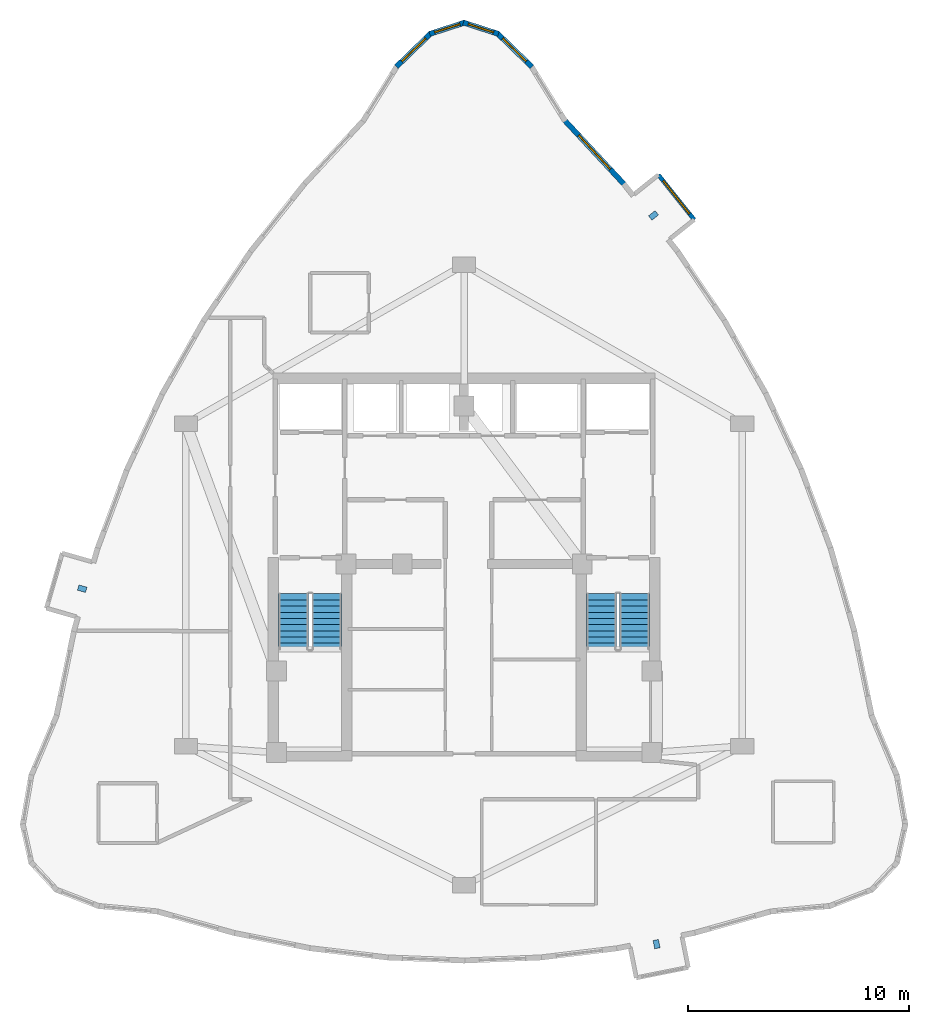
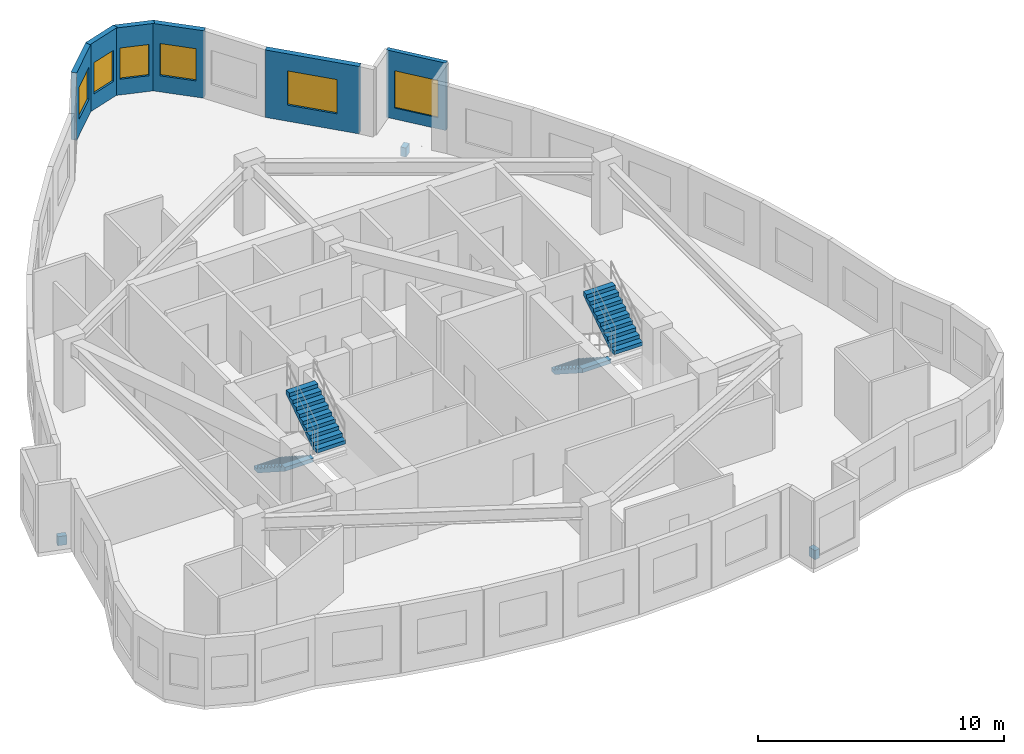
# One storey, part 8 of 9: 6 walls, 6 windows, 4 stair flights, 3 discrete accessories, 6 openings, 2 elements without a shape of their own.
"""IFC4 building model written with IfcOpenShell, lengths in metres."""

from ifc_helpers import new_model, si_unit, direction, frame, frame_2d, origin, origin_2d, place, context, subcontext, project, spatial, polyline, rectangle, outline, extrude, material, layer, layer_set, type_object, element, fill, aggregate, save


model = new_model("IFC4")

# Units and contexts
model_context = context("Model", 3, precision=1e-05, world=origin(), true_north=direction((0.0, 1.0)))
body_context = subcontext(model_context, "Body", "Model", "MODEL_VIEW")
ifc_project = project(units=[si_unit("LENGTHUNIT", "METRE"), si_unit("AREAUNIT", "SQUARE_METRE"), si_unit("VOLUMEUNIT", "CUBIC_METRE"), si_unit("PLANEANGLEUNIT", "RADIAN"), si_unit("MASSUNIT", "GRAM", prefix="KILO")], contexts=[model_context])

# Site, building, storey
site_placement = place(None, origin())
site = spatial("IfcSite", under=ifc_project, at=site_placement, CompositionType="ELEMENT")
building_placement = place(site_placement, origin())
building = spatial("IfcBuilding", under=site, at=building_placement, Name="Miruveldt Soraemaru", CompositionType="ELEMENT")
storey_placement = place(building_placement, frame((0.0, 0.0, 223.199951171875)))
storey = spatial("IfcBuildingStorey", under=building, at=storey_placement, Name="L61", CompositionType="ELEMENT", Elevation=223.199951171875)

# Wall, opening, window
ifc_material_1 = material(Name="White powder-coated aluminium EN AW-6060 T6", Category="aluminium")
ifc_layer_1 = layer(ifc_material_1, 0.18994140625, Name="White powder-coated aluminium EN AW-6060 T6", Category="aluminium")
ifc_layer_set_1 = layer_set([ifc_layer_1], Name="White powder-coated aluminium EN AW-6060 T6")
wall_type_1 = type_object("IfcWallType", Name="WALL-BAY-ALU190", PredefinedType="SOLIDWALL", material=ifc_layer_set_1)
wall_1_placement = place(storey_placement, frame((54.4228515625, 59.641357421875, 0.0), z_axis=(0.0, 0.0, 1.0), x_axis=(-0.623606546405, 0.781738367538, 0.0)))
wall_1 = element("IfcWall", 1, at=wall_1_placement, inside=storey, type_object=wall_type_1, Name="L61 Bay Window Front Frame 3", PredefinedType="SOLIDWALL", context=body_context, shape_type="SweptSolid", body=[
    extrude(rectangle(XDim=2.599853515625, YDim=0.18994140625, at=frame_2d((1.2998046875, 0.0))), origin(), (0.0, 0.0, 1.0), 3.344970703125),
])
opening_1_placement = place(wall_1_placement, frame((0.35009765625, 0.0, 0.550048828125)))
opening_1 = element("IfcOpeningElement", 2, at=opening_1_placement, cuts=wall_1, Name="Opening WN-6", PredefinedType="OPENING", context=body_context, shape_type="SweptSolid", body=[
    extrude(rectangle(XDim=1.89990234375, YDim=1.85009765625, at=frame_2d((0.949951171875, 0.925048828125))), frame((0.0, 0.10498046875, 0.0), z_axis=(0.0, -1.0, 0.0), x_axis=(1.0, 0.0, 0.0)), (0.0, 0.0, 1.0), 0.2099609375),
])
ifc_material_2 = material(Name="Triple low-e insulated glazing", Category="glass")
window_type_1 = type_object("IfcWindowType", Name="WIN-BAYW-1900x1850", PartitioningType="SINGLE_PANEL", PredefinedType="WINDOW", material=ifc_material_2)
window_1_placement = place(opening_1_placement, origin())
window_1 = element("IfcWindow", 3, at=window_1_placement, inside=storey, type_object=window_type_1, Name="L61 Projecting Bay Window 3", OverallHeight=1.85009765625, OverallWidth=1.89990234375, PartitioningType="SINGLE_PANEL", PredefinedType="WINDOW", context=body_context, shape_type="SweptSolid", body=[
    extrude(rectangle(XDim=1.89990234375, YDim=1.85009765625, at=frame_2d((0.949951171875, 0.925048828125))), frame((0.0, 0.030029296875, 0.0), z_axis=(0.0, -1.0, 0.0), x_axis=(1.0, 0.0, 0.0)), (0.0, 0.0, 1.0), 0.06005859375),
])
fill(opening_1, window_1)

ifc_material_3 = material(Name="Precast concrete C45/55 (45 MPa)", Category="concrete")
ifc_layer_2 = layer(ifc_material_3, 0.239990234375, Name="Precast concrete C45/55 (45 MPa)", Category="concrete")
ifc_layer_set_2 = layer_set([ifc_layer_2], Name="Precast concrete C45/55 (45 MPa)")
wall_type_2 = type_object("IfcWallType", Name="WALL-EXT-PC240", PredefinedType="SOLIDWALL", material=ifc_layer_set_2)
wall_2_placement = place(storey_placement, frame((47.070556640625, 66.5673828125, 0.0), z_axis=(0.0, 0.0, 1.0), x_axis=(-0.717775533581, 0.696274574714, 0.0)))
wall_2 = element("IfcWall", 4, at=wall_2_placement, inside=storey, type_object=wall_type_2, Name="L61 Precast Concrete Facade Wall 2", PredefinedType="SOLIDWALL", context=body_context, shape_type="SweptSolid", body=[
    extrude(rectangle(XDim=2.19140625, YDim=0.239990234375, at=frame_2d((1.095703125, 0.0))), origin(), (0.0, 0.0, 1.0), 3.344970703125),
])
opening_2_placement = place(wall_2_placement, frame((0.345947265625, 0.0, 0.800048828125)))
opening_2 = element("IfcOpeningElement", 5, at=opening_2_placement, cuts=wall_2, Name="Opening WN-3", PredefinedType="OPENING", context=body_context, shape_type="SweptSolid", body=[
    extrude(rectangle(XDim=1.5, YDim=1.60009765625, at=frame_2d((0.75, 0.800048828125))), frame((0.0, 0.1298828125, 0.0), z_axis=(0.0, -1.0, 0.0), x_axis=(1.0, 0.0, 0.0)), (0.0, 0.0, 1.0), 0.260009765625),
])
window_type_2 = type_object("IfcWindowType", Name="WIN-PUNCH-1500x1600", PartitioningType="SINGLE_PANEL", PredefinedType="WINDOW", material=ifc_material_2)
window_2_placement = place(opening_2_placement, origin())
window_2 = element("IfcWindow", 6, at=window_2_placement, inside=storey, type_object=window_type_2, Name="L61 Punched Triple-Glazed Window 02.1", OverallHeight=1.60009765625, OverallWidth=1.5, PartitioningType="SINGLE_PANEL", PredefinedType="WINDOW", context=body_context, shape_type="SweptSolid", body=[
    extrude(rectangle(XDim=1.5, YDim=1.60009765625, at=frame_2d((0.75, 0.800048828125))), frame((0.0, 0.030029296875, 0.0), z_axis=(0.0, -1.0, 0.0), x_axis=(1.0, 0.0, 0.0)), (0.0, 0.0, 1.0), 0.06005859375),
])
fill(opening_2, window_2)

wall_3_placement = place(storey_placement, frame((45.555908203125, 68.05810546875, 0.0), z_axis=(0.0, 0.0, 1.0), x_axis=(-0.951481028066, 0.307707414976, 0.0)))
wall_3 = element("IfcWall", 7, at=wall_3_placement, inside=storey, type_object=wall_type_2, Name="L61 Precast Concrete Facade Wall 3", PredefinedType="SOLIDWALL", context=body_context, shape_type="SweptSolid", body=[
    extrude(rectangle(XDim=1.670166015625, YDim=0.239990234375, at=frame_2d((0.8349609375, 0.0))), origin(), (0.0, 0.0, 1.0), 3.344970703125),
])
opening_3_placement = place(wall_3_placement, frame((0.235107421875, 0.0, 0.780029296875)))
opening_3 = element("IfcOpeningElement", 8, at=opening_3_placement, cuts=wall_3, Name="Opening WN-4", PredefinedType="OPENING", context=body_context, shape_type="SweptSolid", body=[
    extrude(rectangle(XDim=1.199951171875, YDim=1.550048828125, at=frame_2d((0.60009765625, 0.77490234375))), frame((0.0, 0.1298828125, 0.0), z_axis=(0.0, -1.0, 0.0), x_axis=(1.0, 0.0, 0.0)), (0.0, 0.0, 1.0), 0.260009765625),
])
window_type_3 = type_object("IfcWindowType", Name="WIN-PUNCH-1200x1550", PartitioningType="SINGLE_PANEL", PredefinedType="WINDOW", material=ifc_material_2)
window_3_placement = place(opening_3_placement, origin())
window_3 = element("IfcWindow", 9, at=window_3_placement, inside=storey, type_object=window_type_3, Name="L61 Punched Triple-Glazed Window 03.1", OverallHeight=1.550048828125, OverallWidth=1.199951171875, PartitioningType="SINGLE_PANEL", PredefinedType="WINDOW", context=body_context, shape_type="SweptSolid", body=[
    extrude(rectangle(XDim=1.199951171875, YDim=1.550048828125, at=frame_2d((0.60009765625, 0.77490234375))), frame((0.0, 0.030029296875, 0.0), z_axis=(0.0, -1.0, 0.0), x_axis=(1.0, 0.0, 0.0)), (0.0, 0.0, 1.0), 0.06005859375),
])
fill(opening_3, window_3)

wall_4_placement = place(storey_placement, frame((44.033203125, 68.572021484375, 0.0), z_axis=(0.0, 0.0, 1.0), x_axis=(-0.951481028066, -0.307707414976, 0.0)))
wall_4 = element("IfcWall", 10, at=wall_4_placement, inside=storey, type_object=wall_type_2, Name="L61 Precast Concrete Facade Wall 4", PredefinedType="SOLIDWALL", context=body_context, shape_type="SweptSolid", body=[
    extrude(rectangle(XDim=1.670166015625, YDim=0.239990234375, at=frame_2d((0.8349609375, 0.0))), origin(), (0.0, 0.0, 1.0), 3.344970703125),
])
opening_4_placement = place(wall_4_placement, frame((0.235107421875, 0.0, 0.780029296875)))
opening_4 = element("IfcOpeningElement", 11, at=opening_4_placement, cuts=wall_4, Name="Opening WN-4", PredefinedType="OPENING", context=body_context, shape_type="SweptSolid", body=[
    extrude(rectangle(XDim=1.199951171875, YDim=1.550048828125, at=frame_2d((0.60009765625, 0.77490234375))), frame((0.0, 0.1298828125, 0.0), z_axis=(0.0, -1.0, 0.0), x_axis=(1.0, 0.0, 0.0)), (0.0, 0.0, 1.0), 0.260009765625),
])
window_4_placement = place(opening_4_placement, origin())
window_4 = element("IfcWindow", 12, at=window_4_placement, inside=storey, type_object=window_type_3, Name="L61 Punched Triple-Glazed Window 04.1", OverallHeight=1.550048828125, OverallWidth=1.199951171875, PartitioningType="SINGLE_PANEL", PredefinedType="WINDOW", context=body_context, shape_type="SweptSolid", body=[
    extrude(rectangle(XDim=1.199951171875, YDim=1.550048828125, at=frame_2d((0.60009765625, 0.77490234375))), frame((0.0, 0.030029296875, 0.0), z_axis=(0.0, -1.0, 0.0), x_axis=(1.0, 0.0, 0.0)), (0.0, 0.0, 1.0), 0.06005859375),
])
fill(opening_4, window_4)

wall_5_placement = place(storey_placement, frame((42.50244140625, 68.09326171875, 0.0), z_axis=(0.0, 0.0, 1.0), x_axis=(-0.717775533581, -0.696274574714, 0.0)))
wall_5 = element("IfcWall", 13, at=wall_5_placement, inside=storey, type_object=wall_type_2, Name="L61 Precast Concrete Facade Wall 5", PredefinedType="SOLIDWALL", context=body_context, shape_type="SweptSolid", body=[
    extrude(rectangle(XDim=2.19140625, YDim=0.239990234375, at=frame_2d((1.095703125, 0.0))), origin(), (0.0, 0.0, 1.0), 3.344970703125),
])
opening_5_placement = place(wall_5_placement, frame((0.345947265625, 0.0, 0.800048828125)))
opening_5 = element("IfcOpeningElement", 14, at=opening_5_placement, cuts=wall_5, Name="Opening WN-3", PredefinedType="OPENING", context=body_context, shape_type="SweptSolid", body=[
    extrude(rectangle(XDim=1.5, YDim=1.60009765625, at=frame_2d((0.75, 0.800048828125))), frame((0.0, 0.1298828125, 0.0), z_axis=(0.0, -1.0, 0.0), x_axis=(1.0, 0.0, 0.0)), (0.0, 0.0, 1.0), 0.260009765625),
])
window_5_placement = place(opening_5_placement, origin())
window_5 = element("IfcWindow", 15, at=window_5_placement, inside=storey, type_object=window_type_2, Name="L61 Punched Triple-Glazed Window 05.1", OverallHeight=1.60009765625, OverallWidth=1.5, PartitioningType="SINGLE_PANEL", PredefinedType="WINDOW", context=body_context, shape_type="SweptSolid", body=[
    extrude(rectangle(XDim=1.5, YDim=1.60009765625, at=frame_2d((0.75, 0.800048828125))), frame((0.0, 0.030029296875, 0.0), z_axis=(0.0, -1.0, 0.0), x_axis=(1.0, 0.0, 0.0)), (0.0, 0.0, 1.0), 0.06005859375),
])
fill(opening_5, window_5)

wall_6_placement = place(storey_placement, frame((51.273193359375, 61.220703125, 0.0), z_axis=(0.0, 0.0, 1.0), x_axis=(-0.680901904473, 0.73237462851, 0.0)))
wall_6 = element("IfcWall", 16, at=wall_6_placement, inside=storey, type_object=wall_type_2, Name="L61 Precast Concrete Facade Wall 42", PredefinedType="SOLIDWALL", context=body_context, shape_type="SweptSolid", body=[
    extrude(rectangle(XDim=4.0078125, YDim=0.239990234375, at=frame_2d((2.00390625, 0.0))), origin(), (0.0, 0.0, 1.0), 3.344970703125),
])
opening_6_placement = place(wall_6_placement, frame((0.9541015625, 0.0, 0.800048828125)))
opening_6 = element("IfcOpeningElement", 17, at=opening_6_placement, cuts=wall_6, Name="Opening WN-1", PredefinedType="OPENING", context=body_context, shape_type="SweptSolid", body=[
    extrude(rectangle(XDim=2.10009765625, YDim=1.699951171875, at=frame_2d((1.050048828125, 0.85009765625))), frame((0.0, 0.1298828125, 0.0), z_axis=(0.0, -1.0, 0.0), x_axis=(1.0, 0.0, 0.0)), (0.0, 0.0, 1.0), 0.260009765625),
])
window_type_4 = type_object("IfcWindowType", Name="WIN-PUNCH-2100x1700", PartitioningType="SINGLE_PANEL", PredefinedType="WINDOW", material=ifc_material_2)
window_6_placement = place(opening_6_placement, origin())
window_6 = element("IfcWindow", 18, at=window_6_placement, inside=storey, type_object=window_type_4, Name="L61 Punched Triple-Glazed Window 42.1", OverallHeight=1.699951171875, OverallWidth=2.10009765625, PartitioningType="SINGLE_PANEL", PredefinedType="WINDOW", context=body_context, shape_type="SweptSolid", body=[
    extrude(rectangle(XDim=2.10009765625, YDim=1.699951171875, at=frame_2d((1.050048828125, 0.85009765625))), frame((0.0, 0.030029296875, 0.0), z_axis=(0.0, -1.0, 0.0), x_axis=(1.0, 0.0, 0.0)), (0.0, 0.0, 1.0), 0.06005859375),
])
fill(opening_6, window_6)

# Stair, stair flights
ifc_material_4 = material(Name="Concrete C40/50 (40 MPa)", Category="concrete")
stair_type = type_object("IfcStairType", Name="STAIR-DL-360", PredefinedType="HALF_TURN_STAIR", material=ifc_material_4)
stair_1_placement = place(storey_placement, origin())
stair_1 = element("IfcStair", 19, at=stair_1_placement, inside=storey, type_object=stair_type, Name="L61 Protected Exit Stair ST-1", PredefinedType="HALF_TURN_STAIR")
stair_flight_type = type_object("IfcStairFlightType", Name="SFL-DL-360", PredefinedType="STRAIGHT", material=ifc_material_4)
stair_flight_1_placement = place(storey_placement, frame((36.27490234375, 42.699951171875, 0.0), z_axis=(0.0, 0.0, 1.0), x_axis=(0.0, -1.0, 0.0)))
stair_flight_1 = element("IfcStairFlight", 20, at=stair_flight_1_placement, type_object=stair_flight_type, Name="ST-1 flight 1", NumberOfRisers=10, NumberOfTreads=9, PredefinedType="STRAIGHT", RiserHeight=0.18, TreadLength=0.28, context=body_context, shape_type="SweptSolid", body=[
    extrude(outline(polyline([(0.0, 0.0), (0.0, 0.179931640625), (0.280029296875, 0.179931640625), (0.280029296875, 0.360107421875), (0.56005859375, 0.360107421875), (0.56005859375, 0.5400390625), (0.840087890625, 0.5400390625), (0.840087890625, 0.719970703125), (1.1201171875, 0.719970703125), (1.1201171875, 0.89990234375), (1.39990234375, 0.89990234375), (1.39990234375, 1.080078125), (1.679931640625, 1.080078125), (1.679931640625, 1.260009765625), (1.9599609375, 1.260009765625), (1.9599609375, 1.43994140625), (2.239990234375, 1.43994140625), (2.239990234375, 1.6201171875), (2.52001953125, 1.6201171875), (2.52001953125, 1.800048828125), (2.52001953125, 1.429931640625), (0.295654296875, 0.0), (0.0, 0.0)])), frame((0.0, 0.675048828125, 0.0), z_axis=(0.0, -1.0, 0.0), x_axis=(1.0, 0.0, 0.0)), (0.0, 0.0, 1.0), 1.35009765625),
])
stair_flight_2_placement = place(storey_placement, frame((37.77490234375, 40.179931640625, 1.800048828125), z_axis=(0.0, 0.0, 1.0), x_axis=(0.0, 1.0, 0.0)))
stair_flight_2 = element("IfcStairFlight", 21, at=stair_flight_2_placement, type_object=stair_flight_type, Name="ST-1 flight 2", NumberOfRisers=10, NumberOfTreads=9, PredefinedType="STRAIGHT", RiserHeight=0.18, TreadLength=0.28, context=body_context, shape_type="SweptSolid", body=[
    extrude(outline(polyline([(0.0, 0.0), (0.0, 0.179931640625), (0.280029296875, 0.179931640625), (0.280029296875, 0.360107421875), (0.56005859375, 0.360107421875), (0.56005859375, 0.5400390625), (0.840087890625, 0.5400390625), (0.840087890625, 0.719970703125), (1.1201171875, 0.719970703125), (1.1201171875, 0.89990234375), (1.39990234375, 0.89990234375), (1.39990234375, 1.080078125), (1.679931640625, 1.080078125), (1.679931640625, 1.260009765625), (1.9599609375, 1.260009765625), (1.9599609375, 1.43994140625), (2.239990234375, 1.43994140625), (2.239990234375, 1.6201171875), (2.52001953125, 1.6201171875), (2.52001953125, 1.800048828125), (2.52001953125, 1.429931640625), (0.295654296875, 0.0), (0.0, 0.0)])), frame((0.0, 0.675048828125, 0.0), z_axis=(0.0, -1.0, 0.0), x_axis=(1.0, 0.0, 0.0)), (0.0, 0.0, 1.0), 1.35009765625),
])
aggregate(stair_1, [stair_flight_1, stair_flight_2])

stair_2_placement = place(storey_placement, origin())
stair_2 = element("IfcStair", 22, at=stair_2_placement, inside=storey, type_object=stair_type, Name="L61 Protected Exit Stair ST-2", PredefinedType="HALF_TURN_STAIR")
stair_flight_3_placement = place(storey_placement, frame((50.22509765625, 42.699951171875, 0.0), z_axis=(0.0, 0.0, 1.0), x_axis=(0.0, -1.0, 0.0)))
stair_flight_3 = element("IfcStairFlight", 23, at=stair_flight_3_placement, type_object=stair_flight_type, Name="ST-2 flight 1", NumberOfRisers=10, NumberOfTreads=9, PredefinedType="STRAIGHT", RiserHeight=0.18, TreadLength=0.28, context=body_context, shape_type="SweptSolid", body=[
    extrude(outline(polyline([(0.0, 0.0), (0.0, 0.179931640625), (0.280029296875, 0.179931640625), (0.280029296875, 0.360107421875), (0.56005859375, 0.360107421875), (0.56005859375, 0.5400390625), (0.840087890625, 0.5400390625), (0.840087890625, 0.719970703125), (1.1201171875, 0.719970703125), (1.1201171875, 0.89990234375), (1.39990234375, 0.89990234375), (1.39990234375, 1.080078125), (1.679931640625, 1.080078125), (1.679931640625, 1.260009765625), (1.9599609375, 1.260009765625), (1.9599609375, 1.43994140625), (2.239990234375, 1.43994140625), (2.239990234375, 1.6201171875), (2.52001953125, 1.6201171875), (2.52001953125, 1.800048828125), (2.52001953125, 1.429931640625), (0.295654296875, 0.0), (0.0, 0.0)])), frame((0.0, 0.675048828125, 0.0), z_axis=(0.0, -1.0, 0.0), x_axis=(1.0, 0.0, 0.0)), (0.0, 0.0, 1.0), 1.35009765625),
])
stair_flight_4_placement = place(storey_placement, frame((51.72509765625, 40.179931640625, 1.800048828125), z_axis=(0.0, 0.0, 1.0), x_axis=(0.0, 1.0, 0.0)))
stair_flight_4 = element("IfcStairFlight", 24, at=stair_flight_4_placement, type_object=stair_flight_type, Name="ST-2 flight 2", NumberOfRisers=10, NumberOfTreads=9, PredefinedType="STRAIGHT", RiserHeight=0.18, TreadLength=0.28, context=body_context, shape_type="SweptSolid", body=[
    extrude(outline(polyline([(0.0, 0.0), (0.0, 0.179931640625), (0.280029296875, 0.179931640625), (0.280029296875, 0.360107421875), (0.56005859375, 0.360107421875), (0.56005859375, 0.5400390625), (0.840087890625, 0.5400390625), (0.840087890625, 0.719970703125), (1.1201171875, 0.719970703125), (1.1201171875, 0.89990234375), (1.39990234375, 0.89990234375), (1.39990234375, 1.080078125), (1.679931640625, 1.080078125), (1.679931640625, 1.260009765625), (1.9599609375, 1.260009765625), (1.9599609375, 1.43994140625), (2.239990234375, 1.43994140625), (2.239990234375, 1.6201171875), (2.52001953125, 1.6201171875), (2.52001953125, 1.800048828125), (2.52001953125, 1.429931640625), (0.295654296875, 0.0), (0.0, 0.0)])), frame((0.0, 0.675048828125, 0.0), z_axis=(0.0, -1.0, 0.0), x_axis=(1.0, 0.0, 0.0)), (0.0, 0.0, 1.0), 1.35009765625),
])
aggregate(stair_2, [stair_flight_3, stair_flight_4])

# Discrete accessories
ifc_material_5 = material(Name="Steel SM355 (355 MPa)", Category="steel")
discrete_accessory_type = type_object("IfcDiscreteAccessoryType", Name="ACC-BAY-BRK", PredefinedType="BRACKET", material=ifc_material_5)
for number, where, z_axis, x_axis, name in (
    (25, (26.70361328125, 42.92578125, -0.69970703125), (0.0, 0.0, 1.0), (-0.961449093633, 0.274982981932, 0.0), "L61 Bay Window Cantilever Bracket 1"),
    (26, (52.718994140625, 26.82666015625, -0.69970703125), (0.0, 0.0, 1.0), (0.196117290802, -0.980580444557, 0.0), "L61 Bay Window Cantilever Bracket 2"),
    (27, (52.580322265625, 59.83447265625, -0.69970703125), (0.0, 0.0, 1.0), (0.781738199863, 0.623606756598, 0.0), "L61 Bay Window Cantilever Bracket 3"),
):
    element("IfcDiscreteAccessory", number, at=place(storey_placement, frame(where, z_axis=z_axis, x_axis=x_axis)), inside=storey, type_object=discrete_accessory_type, Name=name, PredefinedType="BRACKET", context=body_context, shape_type="SweptSolid", body=[
        extrude(rectangle(XDim=0.3798828125, YDim=0.25, at=origin_2d()), origin(), (0.0, 0.0, 1.0), 0.449951171875),
    ])

save(model, "model.ifc")
